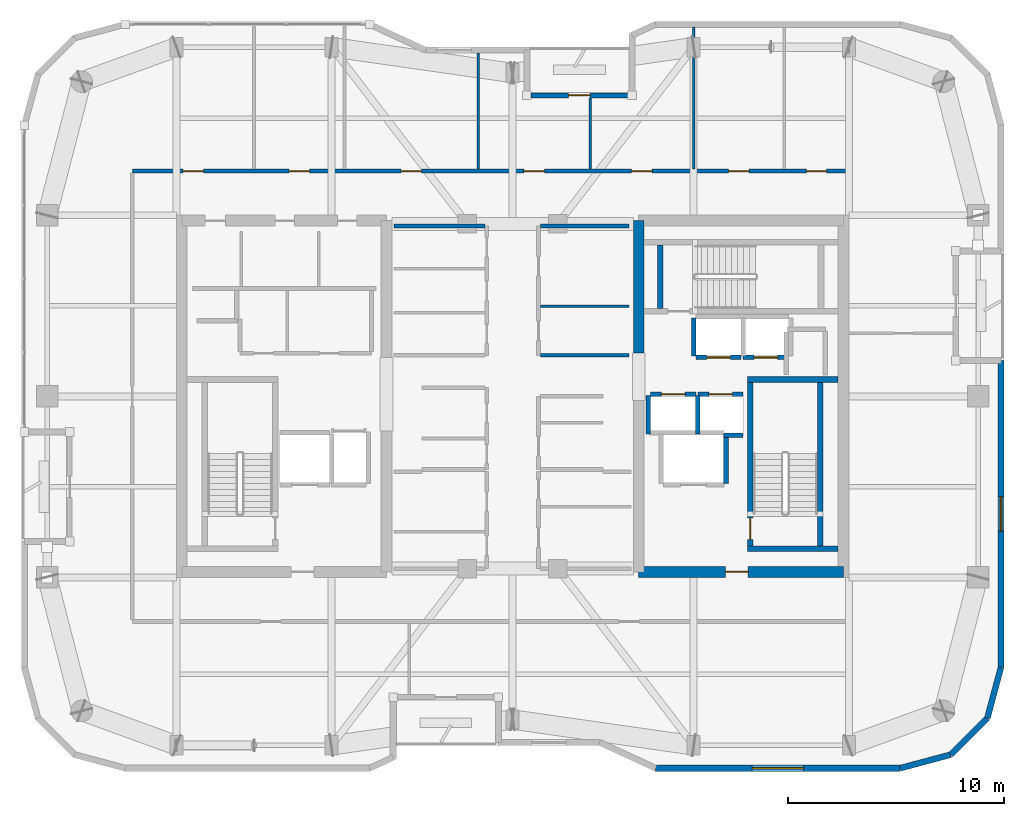
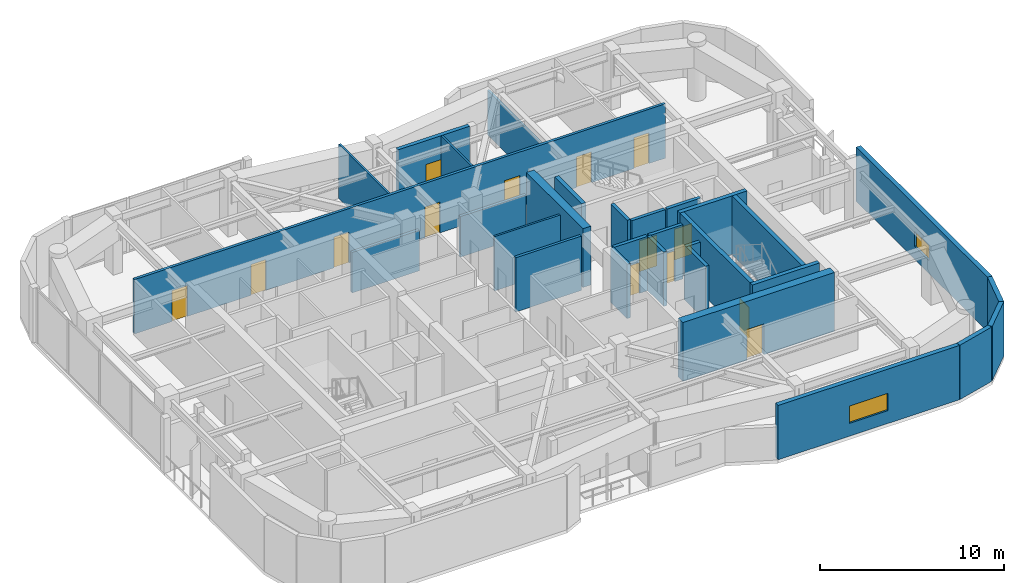
# One storey, part 12 of 15: 30 walls, 14 doors, 2 windows, 16 openings.
"""IFC4 building model written with IfcOpenShell, lengths in metres."""

from ifc_helpers import new_model, si_unit, direction, frame, frame_2d, origin, place, context, subcontext, project, spatial, rectangle, extrude, material, layer, layer_set, type_object, element, fill, save


model = new_model("IFC4")

# Units and contexts
model_context = context("Model", 3, precision=1e-05, world=origin(), true_north=direction((0.0, 1.0)))
body_context = subcontext(model_context, "Body", "Model", "MODEL_VIEW")
ifc_project = project(units=[si_unit("LENGTHUNIT", "METRE"), si_unit("AREAUNIT", "SQUARE_METRE"), si_unit("VOLUMEUNIT", "CUBIC_METRE"), si_unit("PLANEANGLEUNIT", "RADIAN"), si_unit("MASSUNIT", "GRAM", prefix="KILO")], contexts=[model_context])

# Site, building, storey
site_placement = place(None, origin())
site = spatial("IfcSite", under=ifc_project, at=site_placement, CompositionType="ELEMENT")
building_placement = place(site_placement, origin())
building = spatial("IfcBuilding", under=site, at=building_placement, Name="Kiyonajd Concourse Tower", CompositionType="ELEMENT")
storey_placement = place(building_placement, frame((0.0, 0.0, 278.39990234375)))
storey = spatial("IfcBuildingStorey", under=building, at=storey_placement, Name="L70", CompositionType="ELEMENT", Elevation=278.39990234375)

# Wall
ifc_material_1 = material(Name="Concrete C60/75", Category="concrete")
ifc_layer_1 = layer(ifc_material_1, 0.5)
ifc_layer_set_1 = layer_set([ifc_layer_1], Name="Concrete C60/75")
wall_type_1 = type_object("IfcWallType", Name="WL-CORE-500", PredefinedType="SHEAR", material=ifc_layer_set_1)
wall_1_placement = place(storey_placement, frame((53.85009765625, 38.0, 0.0), z_axis=(0.0, 0.0, 1.0), x_axis=(0.0, 1.0, 0.0)))
element("IfcWall", 1, at=wall_1_placement, inside=storey, type_object=wall_type_1, Name="L70 East Core Inner North Shear Wall", PredefinedType="SHEAR", context=body_context, shape_type="SweptSolid", body=[
    extrude(rectangle(XDim=6.14990234375, YDim=0.5, at=frame_2d((3.074951171875, 0.0))), origin(), (0.0, 0.0, 1.0), 3.900146484375),
])

# Wall, opening, door
wall_2_placement = place(storey_placement, frame((53.85009765625, 27.85009765625, 0.0), z_axis=(0.0, 0.0, 1.0), x_axis=(1.0, 0.0, 0.0)))
wall_2 = element("IfcWall", 2, at=wall_2_placement, inside=storey, type_object=wall_type_1, Name="L70 East Core South Shear Wall", PredefinedType="SHEAR", context=body_context, shape_type="SweptSolid", body=[
    extrude(rectangle(XDim=9.5, YDim=0.5, at=frame_2d((4.75, 0.0))), origin(), (0.0, 0.0, 1.0), 3.900146484375),
])
opening_1_placement = place(wall_2_placement, frame((4.02490234375, 0.0, 0.0)))
opening_1 = element("IfcOpeningElement", 3, at=opening_1_placement, cuts=wall_2, Name="Opening DF5", PredefinedType="OPENING", context=body_context, shape_type="SweptSolid", body=[
    extrude(rectangle(XDim=1.050048828125, YDim=2.0400390625, at=frame_2d((0.52490234375, 1.02001953125))), frame((0.0, 0.260009765625, 0.0), z_axis=(0.0, -1.0, 0.0), x_axis=(1.0, 0.0, 0.0)), (0.0, 0.0, 1.0), 0.52001953125),
])
ifc_material_2 = material(Name="Brushed Stainless Steel Cab Assembly", Category="steel")
door_type_1 = type_object("IfcDoorType", Name="DR-FD45-1050", OperationType="NOTDEFINED", PredefinedType="DOOR", material=ifc_material_2)
door_1_placement = place(opening_1_placement, origin())
door_1 = element("IfcDoor", 4, at=door_1_placement, inside=storey, type_object=door_type_1, Name="L70 Firefighting Lift Lobby E Smoke Door", OperationType="SINGLE_SWING_RIGHT", OverallHeight=2.0400390625, OverallWidth=1.050048828125, PredefinedType="DOOR", context=body_context, shape_type="SweptSolid", body=[
    extrude(rectangle(XDim=1.050048828125, YDim=2.0400390625, at=frame_2d((0.52490234375, 1.02001953125))), frame((0.0, 0.02490234375, 0.0), z_axis=(0.0, -1.0, 0.0), x_axis=(1.0, 0.0, 0.0)), (0.0, 0.0, 1.0), 0.050048828125),
])
fill(opening_1, door_1)

# Wall, opening, window
ifc_material_3 = material(Name="Precast concrete C50/60", Category="concrete")
ifc_layer_2 = layer(ifc_material_3, 0.280029296875)
ifc_layer_set_2 = layer_set([ifc_layer_2], Name="Precast concrete C50/60")
wall_type_2 = type_object("IfcWallType", Name="WL-EXT-280", PredefinedType="SOLIDWALL", material=ifc_layer_set_2)
wall_3_placement = place(storey_placement, frame((70.659912109375, 37.659912109375, 0.0), z_axis=(0.0, 0.0, 1.0), x_axis=(0.0, -1.0, 0.0)))
wall_3 = element("IfcWall", 5, at=wall_3_placement, inside=storey, type_object=wall_type_2, Name="L70 Exterior Concrete Frame Wall 24", PredefinedType="SOLIDWALL", context=body_context, shape_type="SweptSolid", body=[
    extrude(rectangle(XDim=14.241455078125, YDim=0.280029296875, at=frame_2d((7.12060546875, 0.0))), origin(), (0.0, 0.0, 1.0), 3.60009765625),
])
opening_2_placement = place(wall_3_placement, frame((6.321044921875, 0.0, 0.85009765625)))
opening_2 = element("IfcOpeningElement", 6, at=opening_2_placement, cuts=wall_3, Name="Opening WN6", PredefinedType="OPENING", context=body_context, shape_type="SweptSolid", body=[
    extrude(rectangle(XDim=1.60009765625, YDim=1.0, at=frame_2d((0.800048828125, 0.5))), frame((0.0, 0.14990234375, 0.0), z_axis=(0.0, -1.0, 0.0), x_axis=(1.0, 0.0, 0.0)), (0.0, 0.0, 1.0), 0.300048828125),
])
ifc_material_4 = material(Name="Double Low-E Insulated Glass", Category="glass")
window_type_1 = type_object("IfcWindowType", Name="WN-VIS-1600x1000", PartitioningType="SINGLE_PANEL", PredefinedType="WINDOW", material=ifc_material_4)
window_1_placement = place(opening_2_placement, origin())
window_1 = element("IfcWindow", 7, at=window_1_placement, inside=storey, type_object=window_type_1, Name="L70 Modular Facade Vision Window 24", OverallHeight=1.0, OverallWidth=1.60009765625, PartitioningType="SINGLE_PANEL", PredefinedType="WINDOW", context=body_context, shape_type="SweptSolid", body=[
    extrude(rectangle(XDim=1.60009765625, YDim=1.0, at=frame_2d((0.800048828125, 0.5))), frame((0.0, 0.030029296875, 0.0), z_axis=(0.0, -1.0, 0.0), x_axis=(1.0, 0.0, 0.0)), (0.0, 0.0, 1.0), 0.06005859375),
])
fill(opening_2, window_1)

# Walls
wall_4_placement = place(storey_placement, frame((70.659912109375, 23.41845703125, 0.0), z_axis=(0.0, 0.0, 1.0), x_axis=(-0.258751159445, -0.965944013639, 0.0)))
element("IfcWall", 8, at=wall_4_placement, inside=storey, type_object=wall_type_2, Name="L70 Exterior Concrete Frame Wall 25", PredefinedType="SOLIDWALL", context=body_context, shape_type="SweptSolid", body=[
    extrude(rectangle(XDim=2.4287109375, YDim=0.280029296875, at=frame_2d((1.21435546875, 0.0))), origin(), (0.0, 0.0, 1.0), 3.60009765625),
])
wall_5_placement = place(storey_placement, frame((70.031494140625, 21.072509765625, 0.0), z_axis=(0.0, 0.0, 1.0), x_axis=(-0.707106781187, -0.707106781187, 0.0)))
element("IfcWall", 9, at=wall_5_placement, inside=storey, type_object=wall_type_2, Name="L70 Exterior Concrete Frame Wall 26", PredefinedType="SOLIDWALL", context=body_context, shape_type="SweptSolid", body=[
    extrude(rectangle(XDim=2.409912109375, YDim=0.280029296875, at=frame_2d((1.205078125, 0.0))), origin(), (0.0, 0.0, 1.0), 3.60009765625),
])
wall_6_placement = place(storey_placement, frame((68.327392578125, 19.368408203125, 0.0), z_axis=(0.0, 0.0, 1.0), x_axis=(-0.965937282298, -0.25877628691, 0.0)))
element("IfcWall", 10, at=wall_6_placement, inside=storey, type_object=wall_type_2, Name="L70 Exterior Concrete Frame Wall 27", PredefinedType="SOLIDWALL", context=body_context, shape_type="SweptSolid", body=[
    extrude(rectangle(XDim=2.428466796875, YDim=0.280029296875, at=frame_2d((1.21435546875, 0.0))), origin(), (0.0, 0.0, 1.0), 3.60009765625),
])

# Wall, opening, window
wall_7_placement = place(storey_placement, frame((65.981689453125, 18.739990234375, 0.0), z_axis=(0.0, 0.0, 1.0), x_axis=(-1.0, 0.0, 0.0)))
wall_7 = element("IfcWall", 11, at=wall_7_placement, inside=storey, type_object=wall_type_2, Name="L70 Exterior Concrete Frame Wall 28", PredefinedType="SOLIDWALL", context=body_context, shape_type="SweptSolid", body=[
    extrude(rectangle(XDim=11.35107421875, YDim=0.280029296875, at=frame_2d((5.675537109375, 0.0))), origin(), (0.0, 0.0, 1.0), 3.60009765625),
])
opening_3_placement = place(wall_7_placement, frame((4.47509765625, 0.0, 0.85009765625)))
opening_3 = element("IfcOpeningElement", 12, at=opening_3_placement, cuts=wall_7, Name="Opening WN4", PredefinedType="OPENING", context=body_context, shape_type="SweptSolid", body=[
    extrude(rectangle(XDim=2.39990234375, YDim=1.14990234375, at=frame_2d((1.199951171875, 0.574951171875))), frame((0.0, 0.14990234375, 0.0), z_axis=(0.0, -1.0, 0.0), x_axis=(1.0, 0.0, 0.0)), (0.0, 0.0, 1.0), 0.300048828125),
])
window_type_2 = type_object("IfcWindowType", Name="WN-VIS-2400x1150", PartitioningType="SINGLE_PANEL", PredefinedType="WINDOW", material=ifc_material_4)
window_2_placement = place(opening_3_placement, origin())
window_2 = element("IfcWindow", 13, at=window_2_placement, inside=storey, type_object=window_type_2, Name="L70 Modular Facade Vision Window 28", OverallHeight=1.14990234375, OverallWidth=2.39990234375, PartitioningType="SINGLE_PANEL", PredefinedType="WINDOW", context=body_context, shape_type="SweptSolid", body=[
    extrude(rectangle(XDim=2.39990234375, YDim=1.14990234375, at=frame_2d((1.199951171875, 0.574951171875))), frame((0.0, 0.030029296875, 0.0), z_axis=(0.0, -1.0, 0.0), x_axis=(1.0, 0.0, 0.0)), (0.0, 0.0, 1.0), 0.06005859375),
])
fill(opening_3, window_2)

# Wall, opening, door
ifc_layer_3 = layer(ifc_material_3, 0.239990234375)
ifc_layer_set_3 = layer_set([ifc_layer_3], Name="Precast concrete C50/60")
wall_type_3 = type_object("IfcWallType", Name="WL-LOG-240", PredefinedType="SOLIDWALL", material=ifc_layer_set_3)
wall_8_placement = place(storey_placement, frame((48.85498046875, 49.9599609375, 0.0), z_axis=(0.0, 0.0, 1.0), x_axis=(1.0, 0.0, 0.0)))
wall_8 = element("IfcWall", 14, at=wall_8_placement, inside=storey, type_object=wall_type_3, Name="L70 Recessed Loggia Thermal Wall LOG-N", PredefinedType="SOLIDWALL", context=body_context, shape_type="SweptSolid", body=[
    extrude(rectangle(XDim=4.489990234375, YDim=0.239990234375, at=frame_2d((2.2451171875, 0.0))), origin(), (0.0, 0.0, 1.0), 3.60009765625),
])
opening_4_placement = place(wall_8_placement, frame((1.7451171875, 0.0, 0.0)))
opening_4 = element("IfcOpeningElement", 15, at=opening_4_placement, cuts=wall_8, Name="Opening DL1", PredefinedType="OPENING", context=body_context, shape_type="SweptSolid", body=[
    extrude(rectangle(XDim=1.0, YDim=2.02001953125, at=frame_2d((0.5, 1.010009765625))), frame((0.0, 0.1298828125, 0.0), z_axis=(0.0, -1.0, 0.0), x_axis=(1.0, 0.0, 0.0)), (0.0, 0.0, 1.0), 0.260009765625),
])
ifc_material_5 = material(Name="Thermally Broken Anodised Aluminium", Category="aluminium")
door_type_2 = type_object("IfcDoorType", Name="DR-LOG-1000", OperationType="NOTDEFINED", PredefinedType="DOOR", material=ifc_material_5)
door_2_placement = place(opening_4_placement, origin())
door_2 = element("IfcDoor", 16, at=door_2_placement, inside=storey, type_object=door_type_2, Name="L70 Engawa Loggia Access Door LOG-N", OperationType="SINGLE_SWING_RIGHT", OverallHeight=2.02001953125, OverallWidth=1.0, PredefinedType="DOOR", context=body_context, shape_type="SweptSolid", body=[
    extrude(rectangle(XDim=1.0, YDim=2.02001953125, at=frame_2d((0.5, 1.010009765625))), frame((0.0, 0.02490234375, 0.0), z_axis=(0.0, -1.0, 0.0), x_axis=(1.0, 0.0, 0.0)), (0.0, 0.0, 1.0), 0.050048828125),
])
fill(opening_4, door_2)

# Walls
ifc_material_6 = material(Name="Gypsum Board on Cold-Formed Steel Stud", Category="steel")
ifc_layer_4 = layer(ifc_material_6, 0.125)
ifc_layer_set_4 = layer_set([ifc_layer_4], Name="Gypsum Board on Cold-Formed Steel Stud")
wall_type_4 = type_object("IfcWallType", Name="WL-PART-125", PredefinedType="PARTITIONING", material=ifc_layer_set_4)
wall_9_placement = place(storey_placement, frame((49.287109375, 40.179931640625, 0.0), z_axis=(0.0, 0.0, 1.0), x_axis=(1.0, 0.0, 0.0)))
element("IfcWall", 17, at=wall_9_placement, inside=storey, type_object=wall_type_4, Name="L70 Interior Partition Wall", PredefinedType="PARTITIONING", context=body_context, shape_type="SweptSolid", body=[
    extrude(rectangle(XDim=4.11279296875, YDim=0.125, at=frame_2d((2.056396484375, 0.0))), origin(), (0.0, 0.0, 1.0), 3.60009765625),
])
wall_10_placement = place(storey_placement, frame((46.39990234375, 46.537109375, 0.0), z_axis=(0.0, 0.0, 1.0), x_axis=(0.0, 1.0, 0.0)))
element("IfcWall", 18, at=wall_10_placement, inside=storey, type_object=wall_type_4, Name="L70 Interior Partition Wall", PredefinedType="PARTITIONING", context=body_context, shape_type="SweptSolid", body=[
    extrude(rectangle(XDim=5.387939453125, YDim=0.125, at=frame_2d((2.69384765625, 0.0))), origin(), (0.0, 0.0, 1.0), 3.60009765625),
])
wall_11_placement = place(storey_placement, frame((51.60009765625, 46.537109375, 0.0), z_axis=(0.0, 0.0, 1.0), x_axis=(0.0, 1.0, 0.0)))
element("IfcWall", 19, at=wall_11_placement, inside=storey, type_object=wall_type_4, Name="L70 Interior Partition Wall", PredefinedType="PARTITIONING", context=body_context, shape_type="SweptSolid", body=[
    extrude(rectangle(XDim=3.307861328125, YDim=0.125, at=frame_2d((1.65380859375, 0.0))), origin(), (0.0, 0.0, 1.0), 3.60009765625),
])
wall_12_placement = place(storey_placement, frame((56.39990234375, 46.537109375, 0.0), z_axis=(0.0, 0.0, 1.0), x_axis=(0.0, 1.0, 0.0)))
element("IfcWall", 20, at=wall_12_placement, inside=storey, type_object=wall_type_4, Name="L70 Interior Partition Wall", PredefinedType="PARTITIONING", context=body_context, shape_type="SweptSolid", body=[
    extrude(rectangle(XDim=6.587890625, YDim=0.125, at=frame_2d((3.2939453125, 0.0))), origin(), (0.0, 0.0, 1.0), 2.963134765625),
])
ifc_layer_5 = layer(ifc_material_6, 0.2099609375)
ifc_layer_set_5 = layer_set([ifc_layer_5], Name="Gypsum Board on Cold-Formed Steel Stud")
wall_type_5 = type_object("IfcWallType", Name="WL-SHAFT-210", PredefinedType="PARTITIONING", material=ifc_layer_set_5)
wall_13_placement = place(storey_placement, frame((57.89990234375, 31.9599609375, 0.0), z_axis=(0.0, 0.0, 1.0), x_axis=(0.0, 1.0, 0.0)))
element("IfcWall", 21, at=wall_13_placement, inside=storey, type_object=wall_type_5, Name="L70 Shaft Enclosure Wall", PredefinedType="PARTITIONING", context=body_context, shape_type="SweptSolid", body=[
    extrude(rectangle(XDim=2.280029296875, YDim=0.2099609375, at=frame_2d((1.14013671875, 0.0))), origin(), (0.0, 0.0, 1.0), 3.60009765625),
])

# Wall, opening, door
wall_14_placement = place(storey_placement, frame((54.39990234375, 36.10009765625, 0.0), z_axis=(0.0, 0.0, 1.0), x_axis=(1.0, 0.0, 0.0)))
wall_14 = element("IfcWall", 22, at=wall_14_placement, inside=storey, type_object=wall_type_5, Name="L70 Shaft Enclosure Wall", PredefinedType="PARTITIONING", context=body_context, shape_type="SweptSolid", body=[
    extrude(rectangle(XDim=2.10009765625, YDim=0.2099609375, at=frame_2d((1.050048828125, 0.0))), origin(), (0.0, 0.0, 1.0), 3.60009765625),
])
opening_5_placement = place(wall_14_placement, frame((0.5, 0.0, 0.0)))
opening_5 = element("IfcOpeningElement", 23, at=opening_5_placement, cuts=wall_14, Name="Opening LD1", PredefinedType="OPENING", context=body_context, shape_type="SweptSolid", body=[
    extrude(rectangle(XDim=1.10009765625, YDim=2.0400390625, at=frame_2d((0.550048828125, 1.02001953125))), frame((0.0, 0.114990234375, 0.0), z_axis=(0.0, -1.0, 0.0), x_axis=(1.0, 0.0, 0.0)), (0.0, 0.0, 1.0), 0.22998046875),
])
door_type_3 = type_object("IfcDoorType", Name="DR-LD-1100", OperationType="DOUBLE_DOOR_SLIDING", PredefinedType="DOOR", material=ifc_material_2)
door_3_placement = place(opening_5_placement, origin())
door_3 = element("IfcDoor", 24, at=door_3_placement, inside=storey, type_object=door_type_3, Name="L70 Lift PL-H1 Sliding Landing Door", OperationType="DOUBLE_DOOR_SLIDING", OverallHeight=2.0400390625, OverallWidth=1.10009765625, PredefinedType="DOOR", context=body_context, shape_type="SweptSolid", body=[
    extrude(rectangle(XDim=1.10009765625, YDim=2.0400390625, at=frame_2d((0.550048828125, 1.02001953125))), frame((0.0, 0.02490234375, 0.0), z_axis=(0.0, -1.0, 0.0), x_axis=(1.0, 0.0, 0.0)), (0.0, 0.0, 1.0), 0.050048828125),
])
fill(opening_5, door_3)

# Walls
for number, where, z_axis, x_axis, name in (
    (25, (54.300048828125, 34.260009765625, 0.0), (0.0, 0.0, 1.0), (0.0, 1.0, 0.0), "L70 Shaft Enclosure Wall"),
    (26, (56.60009765625, 34.260009765625, 0.0), (0.0, 0.0, 1.0), (0.0, 1.0, 0.0), "L70 Shaft Enclosure Wall"),
):
    element("IfcWall", number, at=place(storey_placement, frame(where, z_axis=z_axis, x_axis=x_axis)), inside=storey, type_object=wall_type_5, Name=name, PredefinedType="PARTITIONING", context=body_context, shape_type="SweptSolid", body=[
        extrude(rectangle(XDim=1.780029296875, YDim=0.2099609375, at=frame_2d((0.89013671875, 0.0))), origin(), (0.0, 0.0, 1.0), 3.60009765625),
    ])

# Wall, opening, door
wall_15_placement = place(storey_placement, frame((56.60009765625, 36.10009765625, 0.0), z_axis=(0.0, 0.0, 1.0), x_axis=(1.0, 0.0, 0.0)))
wall_15 = element("IfcWall", 27, at=wall_15_placement, inside=storey, type_object=wall_type_5, Name="L70 Shaft Enclosure Wall", PredefinedType="PARTITIONING", context=body_context, shape_type="SweptSolid", body=[
    extrude(rectangle(XDim=2.099853515625, YDim=0.2099609375, at=frame_2d((1.0498046875, 0.0))), origin(), (0.0, 0.0, 1.0), 3.60009765625),
])
opening_6_placement = place(wall_15_placement, frame((0.5, 0.0, 0.0)))
opening_6 = element("IfcOpeningElement", 28, at=opening_6_placement, cuts=wall_15, Name="Opening LD1", PredefinedType="OPENING", context=body_context, shape_type="SweptSolid", body=[
    extrude(rectangle(XDim=1.10009765625, YDim=2.0400390625, at=frame_2d((0.550048828125, 1.02001953125))), frame((0.0, 0.114990234375, 0.0), z_axis=(0.0, -1.0, 0.0), x_axis=(1.0, 0.0, 0.0)), (0.0, 0.0, 1.0), 0.22998046875),
])
door_4_placement = place(opening_6_placement, origin())
door_4 = element("IfcDoor", 29, at=door_4_placement, inside=storey, type_object=door_type_3, Name="L70 Lift PL-H2 Sliding Landing Door", OperationType="DOUBLE_DOOR_SLIDING", OverallHeight=2.0400390625, OverallWidth=1.10009765625, PredefinedType="DOOR", context=body_context, shape_type="SweptSolid", body=[
    extrude(rectangle(XDim=1.10009765625, YDim=2.0400390625, at=frame_2d((0.550048828125, 1.02001953125))), frame((0.0, 0.02490234375, 0.0), z_axis=(0.0, -1.0, 0.0), x_axis=(1.0, 0.0, 0.0)), (0.0, 0.0, 1.0), 0.050048828125),
])
fill(opening_6, door_4)

# Wall
wall_16_placement = place(storey_placement, frame((57.800048828125, 34.199951171875, 0.0), z_axis=(0.0, 0.0, 1.0), x_axis=(1.0, 0.0, 0.0)))
element("IfcWall", 30, at=wall_16_placement, inside=storey, type_object=wall_type_5, Name="L70 Shaft Enclosure Wall", PredefinedType="PARTITIONING", context=body_context, shape_type="SweptSolid", body=[
    extrude(rectangle(XDim=0.89990234375, YDim=0.2099609375, at=frame_2d((0.449951171875, 0.0))), origin(), (0.0, 0.0, 1.0), 3.60009765625),
])

# Wall, opening, door
wall_17_placement = place(storey_placement, frame((56.5, 37.800048828125, 0.0), z_axis=(0.0, 0.0, 1.0), x_axis=(1.0, 0.0, 0.0)))
wall_17 = element("IfcWall", 31, at=wall_17_placement, inside=storey, type_object=wall_type_5, Name="L70 Shaft Enclosure Wall", PredefinedType="PARTITIONING", context=body_context, shape_type="SweptSolid", body=[
    extrude(rectangle(XDim=2.10009765625, YDim=0.2099609375, at=frame_2d((1.050048828125, 0.0))), origin(), (0.0, 0.0, 1.0), 3.60009765625),
])
opening_7_placement = place(wall_17_placement, frame((0.5, 0.0, 0.0)))
opening_7 = element("IfcOpeningElement", 32, at=opening_7_placement, cuts=wall_17, Name="Opening LD1", PredefinedType="OPENING", context=body_context, shape_type="SweptSolid", body=[
    extrude(rectangle(XDim=1.10009765625, YDim=2.0400390625, at=frame_2d((0.550048828125, 1.02001953125))), frame((0.0, 0.114990234375, 0.0), z_axis=(0.0, -1.0, 0.0), x_axis=(1.0, 0.0, 0.0)), (0.0, 0.0, 1.0), 0.22998046875),
])
door_5_placement = place(opening_7_placement, origin())
door_5 = element("IfcDoor", 33, at=door_5_placement, inside=storey, type_object=door_type_3, Name="L70 Lift PL-H3 Sliding Landing Door", OperationType="DOUBLE_DOOR_SLIDING", OverallHeight=2.0400390625, OverallWidth=1.10009765625, PredefinedType="DOOR", context=body_context, shape_type="SweptSolid", body=[
    extrude(rectangle(XDim=1.10009765625, YDim=2.0400390625, at=frame_2d((0.550048828125, 1.02001953125))), frame((0.0, 0.02490234375, 0.0), z_axis=(0.0, -1.0, 0.0), x_axis=(1.0, 0.0, 0.0)), (0.0, 0.0, 1.0), 0.050048828125),
])
fill(opening_7, door_5)

# Wall
wall_18_placement = place(storey_placement, frame((56.39990234375, 37.860107421875, 0.0), z_axis=(0.0, 0.0, 1.0), x_axis=(0.0, 1.0, 0.0)))
element("IfcWall", 34, at=wall_18_placement, inside=storey, type_object=wall_type_5, Name="L70 Shaft Enclosure Wall", PredefinedType="PARTITIONING", context=body_context, shape_type="SweptSolid", body=[
    extrude(rectangle(XDim=1.77978515625, YDim=0.2099609375, at=frame_2d((0.889892578125, 0.0))), origin(), (0.0, 0.0, 1.0), 3.60009765625),
])

# Wall, opening, door
wall_19_placement = place(storey_placement, frame((58.699951171875, 37.800048828125, 0.0), z_axis=(0.0, 0.0, 1.0), x_axis=(1.0, 0.0, 0.0)))
wall_19 = element("IfcWall", 35, at=wall_19_placement, inside=storey, type_object=wall_type_5, Name="L70 Shaft Enclosure Wall", PredefinedType="PARTITIONING", context=body_context, shape_type="SweptSolid", body=[
    extrude(rectangle(XDim=2.10009765625, YDim=0.2099609375, at=frame_2d((1.050048828125, 0.0))), origin(), (0.0, 0.0, 1.0), 3.60009765625),
])
opening_8_placement = place(wall_19_placement, frame((0.5, 0.0, 0.0)))
opening_8 = element("IfcOpeningElement", 36, at=opening_8_placement, cuts=wall_19, Name="Opening LD1", PredefinedType="OPENING", context=body_context, shape_type="SweptSolid", body=[
    extrude(rectangle(XDim=1.10009765625, YDim=2.0400390625, at=frame_2d((0.550048828125, 1.02001953125))), frame((0.0, 0.114990234375, 0.0), z_axis=(0.0, -1.0, 0.0), x_axis=(1.0, 0.0, 0.0)), (0.0, 0.0, 1.0), 0.22998046875),
])
door_6_placement = place(opening_8_placement, origin())
door_6 = element("IfcDoor", 37, at=door_6_placement, inside=storey, type_object=door_type_3, Name="L70 Lift PL-H4 Sliding Landing Door", OperationType="DOUBLE_DOOR_SLIDING", OverallHeight=2.0400390625, OverallWidth=1.10009765625, PredefinedType="DOOR", context=body_context, shape_type="SweptSolid", body=[
    extrude(rectangle(XDim=1.10009765625, YDim=2.0400390625, at=frame_2d((0.550048828125, 1.02001953125))), frame((0.0, 0.02490234375, 0.0), z_axis=(0.0, -1.0, 0.0), x_axis=(1.0, 0.0, 0.0)), (0.0, 0.0, 1.0), 0.050048828125),
])
fill(opening_8, door_6)

# Walls
ifc_layer_6 = layer(ifc_material_6, 0.169921875)
ifc_layer_set_6 = layer_set([ifc_layer_6], Name="Gypsum Board on Cold-Formed Steel Stud")
wall_type_6 = type_object("IfcWallType", Name="WL-SMK-170", PredefinedType="PARTITIONING", material=ifc_layer_set_6)
wall_20_placement = place(storey_placement, frame((42.5, 43.89990234375, 0.0), z_axis=(0.0, 0.0, 1.0), x_axis=(1.0, 0.0, 0.0)))
element("IfcWall", 38, at=wall_20_placement, inside=storey, type_object=wall_type_6, Name="L70 Interior Partition Wall", PredefinedType="PARTITIONING", context=body_context, shape_type="SweptSolid", body=[
    extrude(rectangle(XDim=4.212890625, YDim=0.169921875, at=frame_2d((2.1064453125, 0.0))), origin(), (0.0, 0.0, 1.0), 2.68505859375),
])
wall_21_placement = place(storey_placement, frame((49.287109375, 37.89990234375, 0.0), z_axis=(0.0, 0.0, 1.0), x_axis=(1.0, 0.0, 0.0)))
element("IfcWall", 39, at=wall_21_placement, inside=storey, type_object=wall_type_6, Name="L70 Interior Partition Wall", PredefinedType="PARTITIONING", context=body_context, shape_type="SweptSolid", body=[
    extrude(rectangle(XDim=4.11279296875, YDim=0.169921875, at=frame_2d((2.056396484375, 0.0))), origin(), (0.0, 0.0, 1.0), 3.60009765625),
])
wall_22_placement = place(storey_placement, frame((49.287109375, 43.89990234375, 0.0), z_axis=(0.0, 0.0, 1.0), x_axis=(1.0, 0.0, 0.0)))
element("IfcWall", 40, at=wall_22_placement, inside=storey, type_object=wall_type_6, Name="L70 Interior Partition Wall", PredefinedType="PARTITIONING", context=body_context, shape_type="SweptSolid", body=[
    extrude(rectangle(XDim=4.11279296875, YDim=0.169921875, at=frame_2d((2.056396484375, 0.0))), origin(), (0.0, 0.0, 1.0), 2.68505859375),
])

# Wall, openings, doors
wall_23_placement = place(storey_placement, frame((30.35009765625, 46.449951171875, 0.0), z_axis=(0.0, 0.0, 1.0), x_axis=(1.0, 0.0, 0.0)))
wall_23 = element("IfcWall", 41, at=wall_23_placement, inside=storey, type_object=wall_type_6, Name="L70 Interior Partition Wall", PredefinedType="PARTITIONING", context=body_context, shape_type="SweptSolid", body=[
    extrude(rectangle(XDim=33.25, YDim=0.169921875, at=frame_2d((16.625, 0.0))), origin(), (0.0, 0.0, 1.0), 3.60009765625),
])
opening_9_placement = place(wall_23_placement, frame((2.35009765625, 0.0, 0.0)))
opening_9 = element("IfcOpeningElement", 42, at=opening_9_placement, cuts=wall_23, Name="Opening DI1", PredefinedType="OPENING", context=body_context, shape_type="SweptSolid", body=[
    extrude(rectangle(XDim=0.949951171875, YDim=2.0400390625, at=frame_2d((0.47509765625, 1.02001953125))), frame((0.0, 0.094970703125, 0.0), z_axis=(0.0, -1.0, 0.0), x_axis=(1.0, 0.0, 0.0)), (0.0, 0.0, 1.0), 0.18994140625),
])
opening_10_placement = place(wall_23_placement, frame((7.27490234375, 0.0, 0.0)))
opening_10 = element("IfcOpeningElement", 43, at=opening_10_placement, cuts=wall_23, Name="Opening DI1", PredefinedType="OPENING", context=body_context, shape_type="SweptSolid", body=[
    extrude(rectangle(XDim=0.949951171875, YDim=2.0400390625, at=frame_2d((0.47509765625, 1.02001953125))), frame((0.0, 0.094970703125, 0.0), z_axis=(0.0, -1.0, 0.0), x_axis=(1.0, 0.0, 0.0)), (0.0, 0.0, 1.0), 0.18994140625),
])
opening_11_placement = place(wall_23_placement, frame((12.47509765625, 0.0, 0.0)))
opening_11 = element("IfcOpeningElement", 44, at=opening_11_placement, cuts=wall_23, Name="Opening DI1", PredefinedType="OPENING", context=body_context, shape_type="SweptSolid", body=[
    extrude(rectangle(XDim=0.949951171875, YDim=2.0400390625, at=frame_2d((0.47509765625, 1.02001953125))), frame((0.0, 0.094970703125, 0.0), z_axis=(0.0, -1.0, 0.0), x_axis=(1.0, 0.0, 0.0)), (0.0, 0.0, 1.0), 0.18994140625),
])
opening_12_placement = place(wall_23_placement, frame((18.175048828125, 0.0, 0.0)))
opening_12 = element("IfcOpeningElement", 45, at=opening_12_placement, cuts=wall_23, Name="Opening DI1", PredefinedType="OPENING", context=body_context, shape_type="SweptSolid", body=[
    extrude(rectangle(XDim=0.949951171875, YDim=2.0400390625, at=frame_2d((0.47509765625, 1.02001953125))), frame((0.0, 0.094970703125, 0.0), z_axis=(0.0, -1.0, 0.0), x_axis=(1.0, 0.0, 0.0)), (0.0, 0.0, 1.0), 0.18994140625),
])
opening_13_placement = place(wall_23_placement, frame((23.175048828125, 0.0, 0.0)))
opening_13 = element("IfcOpeningElement", 46, at=opening_13_placement, cuts=wall_23, Name="Opening DI1", PredefinedType="OPENING", context=body_context, shape_type="SweptSolid", body=[
    extrude(rectangle(XDim=0.949951171875, YDim=2.0400390625, at=frame_2d((0.47509765625, 1.02001953125))), frame((0.0, 0.094970703125, 0.0), z_axis=(0.0, -1.0, 0.0), x_axis=(1.0, 0.0, 0.0)), (0.0, 0.0, 1.0), 0.18994140625),
])
opening_14_placement = place(wall_23_placement, frame((27.675048828125, 0.0, 0.0)))
opening_14 = element("IfcOpeningElement", 47, at=opening_14_placement, cuts=wall_23, Name="Opening DI1", PredefinedType="OPENING", context=body_context, shape_type="SweptSolid", body=[
    extrude(rectangle(XDim=0.949951171875, YDim=2.0400390625, at=frame_2d((0.47509765625, 1.02001953125))), frame((0.0, 0.094970703125, 0.0), z_axis=(0.0, -1.0, 0.0), x_axis=(1.0, 0.0, 0.0)), (0.0, 0.0, 1.0), 0.18994140625),
])
opening_15_placement = place(wall_23_placement, frame((31.27490234375, 0.0, 0.0)))
opening_15 = element("IfcOpeningElement", 48, at=opening_15_placement, cuts=wall_23, Name="Opening DI1", PredefinedType="OPENING", context=body_context, shape_type="SweptSolid", body=[
    extrude(rectangle(XDim=0.949951171875, YDim=2.0400390625, at=frame_2d((0.47509765625, 1.02001953125))), frame((0.0, 0.094970703125, 0.0), z_axis=(0.0, -1.0, 0.0), x_axis=(1.0, 0.0, 0.0)), (0.0, 0.0, 1.0), 0.18994140625),
])
ifc_material_7 = material(Name="Natural Oak Acoustic Timber Veneer", Category="wood")
door_type_4 = type_object("IfcDoorType", Name="DR-INT-950", OperationType="NOTDEFINED", PredefinedType="DOOR", material=ifc_material_7)
door_7_placement = place(opening_9_placement, origin())
door_7 = element("IfcDoor", 49, at=door_7_placement, inside=storey, type_object=door_type_4, Name="L70 Interior Door", OperationType="SINGLE_SWING_LEFT", OverallHeight=2.0400390625, OverallWidth=0.949951171875, PredefinedType="DOOR", context=body_context, shape_type="SweptSolid", body=[
    extrude(rectangle(XDim=0.949951171875, YDim=2.0400390625, at=frame_2d((0.47509765625, 1.02001953125))), frame((0.0, 0.02490234375, 0.0), z_axis=(0.0, -1.0, 0.0), x_axis=(1.0, 0.0, 0.0)), (0.0, 0.0, 1.0), 0.050048828125),
])
fill(opening_9, door_7)
door_8_placement = place(opening_10_placement, origin())
door_8 = element("IfcDoor", 50, at=door_8_placement, inside=storey, type_object=door_type_4, Name="L70 Interior Door", OperationType="SINGLE_SWING_RIGHT", OverallHeight=2.0400390625, OverallWidth=0.949951171875, PredefinedType="DOOR", context=body_context, shape_type="SweptSolid", body=[
    extrude(rectangle(XDim=0.949951171875, YDim=2.0400390625, at=frame_2d((0.47509765625, 1.02001953125))), frame((0.0, 0.02490234375, 0.0), z_axis=(0.0, -1.0, 0.0), x_axis=(1.0, 0.0, 0.0)), (0.0, 0.0, 1.0), 0.050048828125),
])
fill(opening_10, door_8)
door_9_placement = place(opening_11_placement, origin())
door_9 = element("IfcDoor", 51, at=door_9_placement, inside=storey, type_object=door_type_4, Name="L70 Interior Door", OperationType="SINGLE_SWING_LEFT", OverallHeight=2.0400390625, OverallWidth=0.949951171875, PredefinedType="DOOR", context=body_context, shape_type="SweptSolid", body=[
    extrude(rectangle(XDim=0.949951171875, YDim=2.0400390625, at=frame_2d((0.47509765625, 1.02001953125))), frame((0.0, 0.02490234375, 0.0), z_axis=(0.0, -1.0, 0.0), x_axis=(1.0, 0.0, 0.0)), (0.0, 0.0, 1.0), 0.050048828125),
])
fill(opening_11, door_9)
door_10_placement = place(opening_12_placement, origin())
door_10 = element("IfcDoor", 52, at=door_10_placement, inside=storey, type_object=door_type_4, Name="L70 Interior Door", OperationType="SINGLE_SWING_RIGHT", OverallHeight=2.0400390625, OverallWidth=0.949951171875, PredefinedType="DOOR", context=body_context, shape_type="SweptSolid", body=[
    extrude(rectangle(XDim=0.949951171875, YDim=2.0400390625, at=frame_2d((0.47509765625, 1.02001953125))), frame((0.0, 0.02490234375, 0.0), z_axis=(0.0, -1.0, 0.0), x_axis=(1.0, 0.0, 0.0)), (0.0, 0.0, 1.0), 0.050048828125),
])
fill(opening_12, door_10)
door_11_placement = place(opening_13_placement, origin())
door_11 = element("IfcDoor", 53, at=door_11_placement, inside=storey, type_object=door_type_4, Name="L70 Interior Door", OperationType="SINGLE_SWING_LEFT", OverallHeight=2.0400390625, OverallWidth=0.949951171875, PredefinedType="DOOR", context=body_context, shape_type="SweptSolid", body=[
    extrude(rectangle(XDim=0.949951171875, YDim=2.0400390625, at=frame_2d((0.47509765625, 1.02001953125))), frame((0.0, 0.02490234375, 0.0), z_axis=(0.0, -1.0, 0.0), x_axis=(1.0, 0.0, 0.0)), (0.0, 0.0, 1.0), 0.050048828125),
])
fill(opening_13, door_11)
door_12_placement = place(opening_14_placement, origin())
door_12 = element("IfcDoor", 54, at=door_12_placement, inside=storey, type_object=door_type_4, Name="L70 Interior Door", OperationType="SINGLE_SWING_RIGHT", OverallHeight=2.0400390625, OverallWidth=0.949951171875, PredefinedType="DOOR", context=body_context, shape_type="SweptSolid", body=[
    extrude(rectangle(XDim=0.949951171875, YDim=2.0400390625, at=frame_2d((0.47509765625, 1.02001953125))), frame((0.0, 0.02490234375, 0.0), z_axis=(0.0, -1.0, 0.0), x_axis=(1.0, 0.0, 0.0)), (0.0, 0.0, 1.0), 0.050048828125),
])
fill(opening_14, door_12)
door_13_placement = place(opening_15_placement, origin())
door_13 = element("IfcDoor", 55, at=door_13_placement, inside=storey, type_object=door_type_4, Name="L70 Interior Door", OperationType="SINGLE_SWING_LEFT", OverallHeight=2.0400390625, OverallWidth=0.949951171875, PredefinedType="DOOR", context=body_context, shape_type="SweptSolid", body=[
    extrude(rectangle(XDim=0.949951171875, YDim=2.0400390625, at=frame_2d((0.47509765625, 1.02001953125))), frame((0.0, 0.02490234375, 0.0), z_axis=(0.0, -1.0, 0.0), x_axis=(1.0, 0.0, 0.0)), (0.0, 0.0, 1.0), 0.050048828125),
])
fill(opening_15, door_13)

# Walls
ifc_material_8 = material(Name="Concrete C50/60", Category="concrete")
ifc_layer_7 = layer(ifc_material_8, 0.260009765625)
ifc_layer_set_7 = layer_set([ifc_layer_7], Name="Concrete C50/60")
wall_type_7 = type_object("IfcWallType", Name="WL-STAIR-260", PredefinedType="SHEAR", material=ifc_layer_set_7)
for number, where, z_axis, x_axis, name in (
    (56, (58.889892578125, 28.919921875, 0.0), (0.0, 0.0, 1.0), (1.0, 0.0, 0.0), "L70 Stair ST2 Structural South Wall"),
    (57, (58.889892578125, 36.780029296875, 0.0), (0.0, 0.0, 1.0), (1.0, 0.0, 0.0), "L70 Stair ST2 Structural North Wall"),
):
    element("IfcWall", number, at=place(storey_placement, frame(where, z_axis=z_axis, x_axis=x_axis)), inside=storey, type_object=wall_type_7, Name=name, PredefinedType="SHEAR", context=body_context, shape_type="SweptSolid", body=[
        extrude(rectangle(XDim=4.210205078125, YDim=0.260009765625, at=frame_2d((2.10498046875, 0.0))), origin(), (0.0, 0.0, 1.0), 3.900146484375),
    ])

# Wall, opening, door
wall_24_placement = place(storey_placement, frame((59.02001953125, 29.050048828125, 0.0), z_axis=(0.0, 0.0, 1.0), x_axis=(0.0, 1.0, 0.0)))
wall_24 = element("IfcWall", 58, at=wall_24_placement, inside=storey, type_object=wall_type_7, Name="L70 Stair ST2 Structural West Wall", PredefinedType="SHEAR", context=body_context, shape_type="SweptSolid", body=[
    extrude(rectangle(XDim=7.599853515625, YDim=0.260009765625, at=frame_2d((3.7998046875, 0.0))), origin(), (0.0, 0.0, 1.0), 3.900146484375),
])
opening_16_placement = place(wall_24_placement, frame((0.300048828125, 0.0, 0.0)))
opening_16 = element("IfcOpeningElement", 59, at=opening_16_placement, cuts=wall_24, Name="Opening DF1", PredefinedType="OPENING", context=body_context, shape_type="SweptSolid", body=[
    extrude(rectangle(XDim=1.0, YDim=2.0400390625, at=frame_2d((0.5, 1.02001953125))), frame((0.0, 0.139892578125, 0.0), z_axis=(0.0, -1.0, 0.0), x_axis=(1.0, 0.0, 0.0)), (0.0, 0.0, 1.0), 0.280029296875),
])
door_type_5 = type_object("IfcDoorType", Name="DR-FD90-1000", OperationType="NOTDEFINED", PredefinedType="DOOR", material=ifc_material_2)
door_14_placement = place(opening_16_placement, origin())
door_14 = element("IfcDoor", 60, at=door_14_placement, inside=storey, type_object=door_type_5, Name="L70 Stair ST2 FSAE Door", OperationType="SINGLE_SWING_RIGHT", OverallHeight=2.0400390625, OverallWidth=1.0, PredefinedType="DOOR", context=body_context, shape_type="SweptSolid", body=[
    extrude(rectangle(XDim=1.0, YDim=2.0400390625, at=frame_2d((0.5, 1.02001953125))), frame((0.0, 0.02490234375, 0.0), z_axis=(0.0, -1.0, 0.0), x_axis=(1.0, 0.0, 0.0)), (0.0, 0.0, 1.0), 0.050048828125),
])
fill(opening_16, door_14)

# Walls
wall_25_placement = place(storey_placement, frame((62.280029296875, 29.050048828125, 0.0), z_axis=(0.0, 0.0, 1.0), x_axis=(0.0, 1.0, 0.0)))
element("IfcWall", 61, at=wall_25_placement, inside=storey, type_object=wall_type_7, Name="L70 Stair ST2 Structural East Wall", PredefinedType="SHEAR", context=body_context, shape_type="SweptSolid", body=[
    extrude(rectangle(XDim=7.599853515625, YDim=0.260009765625, at=frame_2d((3.7998046875, 0.0))), origin(), (0.0, 0.0, 1.0), 3.900146484375),
])
wall_26_placement = place(storey_placement, frame((54.85009765625, 40.080078125, 0.0), z_axis=(0.0, 0.0, 1.0), x_axis=(0.0, 1.0, 0.0)))
element("IfcWall", 62, at=wall_26_placement, inside=storey, type_object=wall_type_7, Name="L70 Stair ST3 Structural West Wall", PredefinedType="SHEAR", context=body_context, shape_type="SweptSolid", body=[
    extrude(rectangle(XDim=2.93994140625, YDim=0.260009765625, at=frame_2d((1.469970703125, 0.0))), origin(), (0.0, 0.0, 1.0), 3.900146484375),
])

save(model, "model.ifc")
